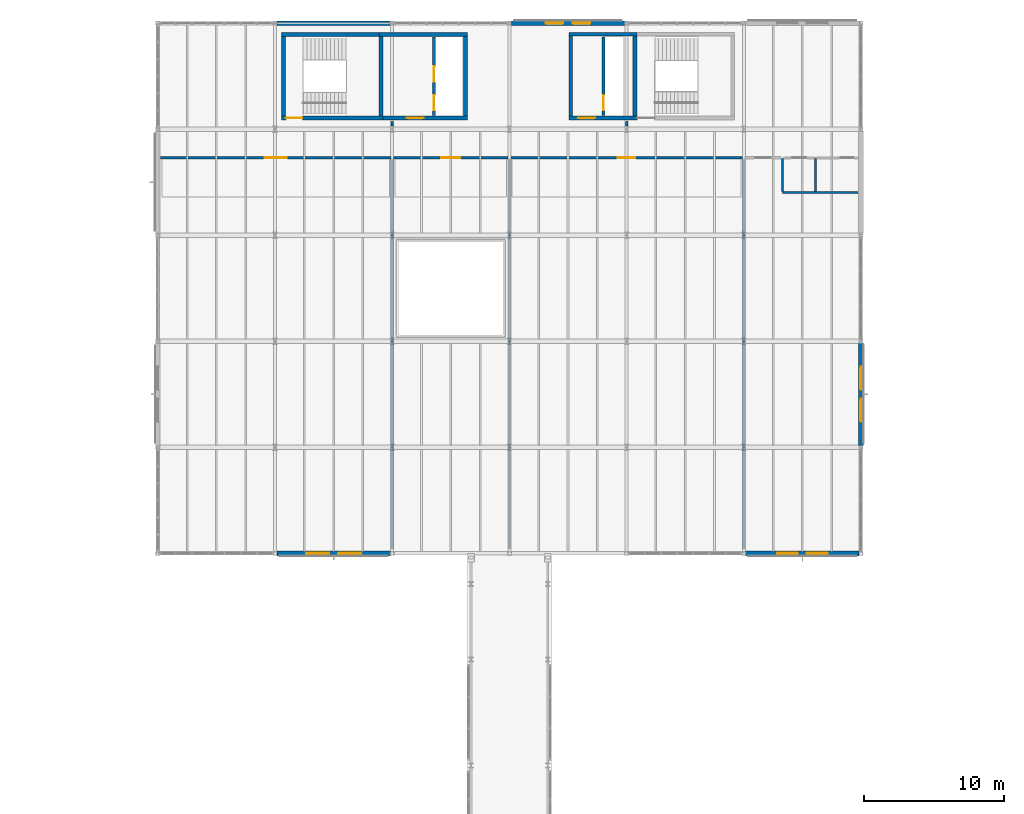
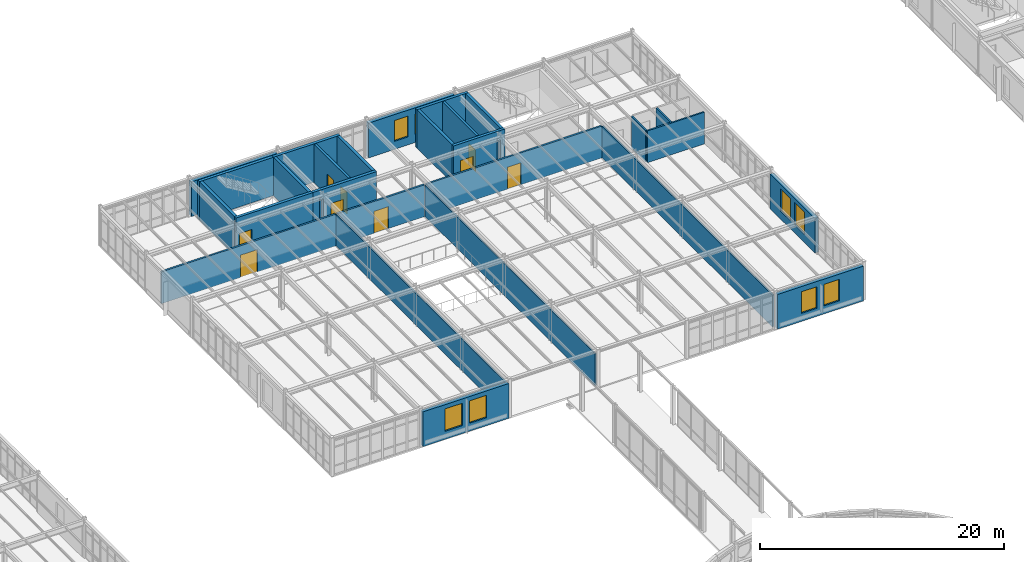
# One storey, part 164 of 189: 29 walls, 9 doors, 8 windows, 17 openings.
"""IFC4 building model written with IfcOpenShell, lengths in metres."""

from ifc_helpers import new_model, si_unit, direction, frame, frame_2d, origin, place, context, subcontext, project, spatial, rectangle, extrude, material, layer, layer_set, type_object, element, fill, save


model = new_model("IFC4")

# Units and contexts
model_context = context("Model", 3, precision=1e-05, world=origin(), true_north=direction((0.0, 1.0)))
body_context = subcontext(model_context, "Body", "Model", "MODEL_VIEW")
ifc_project = project(units=[si_unit("LENGTHUNIT", "METRE"), si_unit("AREAUNIT", "SQUARE_METRE"), si_unit("VOLUMEUNIT", "CUBIC_METRE"), si_unit("PLANEANGLEUNIT", "RADIAN"), si_unit("MASSUNIT", "GRAM", prefix="KILO")], contexts=[model_context])

# Site, building, storey
site_placement = place(None, origin())
site = spatial("IfcSite", under=ifc_project, at=site_placement, CompositionType="ELEMENT")
building_placement = place(site_placement, origin())
building = spatial("IfcBuilding", under=site, at=building_placement, Name="Montecoro Central Library", CompositionType="ELEMENT")
storey_placement = place(building_placement, frame((0.0, 0.0, 9.179931640625)))
storey = spatial("IfcBuildingStorey", under=building, at=storey_placement, Name="L02", CompositionType="ELEMENT", Elevation=9.179931640625)

# Wall, openings, windows
ifc_material_1 = material(Name="Roman travertine stone clad concrete C35/45", Category="masonry")
ifc_layer_1 = layer(ifc_material_1, 0.344970703125)
ifc_layer_set_1 = layer_set([ifc_layer_1], Name="Roman travertine stone clad concrete C35/45")
wall_type_1 = type_object("IfcWallType", Name="EW-TRV-345", PredefinedType="SOLIDWALL", material=ifc_layer_set_1)
wall_1_placement = place(storey_placement, frame((74.93310546875, 81.0, 0.0), z_axis=(0.0, 0.0, 1.0), x_axis=(1.0, 0.0, 0.0)))
wall_1 = element("IfcWall", 1, at=wall_1_placement, inside=storey, type_object=wall_type_1, Name="V2-L02-EW-S1", PredefinedType="SOLIDWALL", context=body_context, shape_type="SweptSolid", body=[
    extrude(rectangle(XDim=8.1337890625, YDim=0.344970703125, at=frame_2d((4.06689453125, 0.0))), origin(), (0.0, 0.0, 1.0), 3.47998046875),
])
opening_1_placement = place(wall_1_placement, frame((2.092041015625, 0.0, 0.800048828125)))
opening_1 = element("IfcOpeningElement", 2, at=opening_1_placement, cuts=wall_1, Name="Opening WN-09", PredefinedType="OPENING", context=body_context, shape_type="SweptSolid", body=[
    extrude(rectangle(XDim=1.64990234375, YDim=2.25, at=frame_2d((0.824951171875, 1.125))), frame((0.0, 0.182373046875, 0.0), z_axis=(0.0, -1.0, 0.0), x_axis=(1.0, 0.0, 0.0)), (0.0, 0.0, 1.0), 0.364990234375),
])
opening_2_placement = place(wall_1_placement, frame((4.39208984375, 0.0, 0.800048828125)))
opening_2 = element("IfcOpeningElement", 3, at=opening_2_placement, cuts=wall_1, Name="Opening WN-09", PredefinedType="OPENING", context=body_context, shape_type="SweptSolid", body=[
    extrude(rectangle(XDim=1.64990234375, YDim=2.25, at=frame_2d((0.824951171875, 1.125))), frame((0.0, 0.182373046875, 0.0), z_axis=(0.0, -1.0, 0.0), x_axis=(1.0, 0.0, 0.0)), (0.0, 0.0, 1.0), 0.364990234375),
])
ifc_material_2 = material(Name="Laminated low-E double glazing", Category="glass")
window_type_1 = type_object("IfcWindowType", Name="WN-RDG-165", PartitioningType="SINGLE_PANEL", PredefinedType="WINDOW", material=ifc_material_2)
window_1_placement = place(opening_1_placement, origin())
window_1 = element("IfcWindow", 4, at=window_1_placement, inside=storey, type_object=window_type_1, Name="V2-L02-WN-S1-1", OverallHeight=2.25, OverallWidth=1.64990234375, PartitioningType="SINGLE_PANEL", PredefinedType="WINDOW", context=body_context, shape_type="SweptSolid", body=[
    extrude(rectangle(XDim=1.64990234375, YDim=2.25, at=frame_2d((0.824951171875, 1.125))), frame((0.0, 0.030029296875, 0.0), z_axis=(0.0, -1.0, 0.0), x_axis=(1.0, 0.0, 0.0)), (0.0, 0.0, 1.0), 0.06005859375),
])
fill(opening_1, window_1)
window_2_placement = place(opening_2_placement, origin())
window_2 = element("IfcWindow", 5, at=window_2_placement, inside=storey, type_object=window_type_1, Name="V2-L02-WN-S1-2", OverallHeight=2.25, OverallWidth=1.64990234375, PartitioningType="SINGLE_PANEL", PredefinedType="WINDOW", context=body_context, shape_type="SweptSolid", body=[
    extrude(rectangle(XDim=1.64990234375, YDim=2.25, at=frame_2d((0.824951171875, 1.125))), frame((0.0, 0.030029296875, 0.0), z_axis=(0.0, -1.0, 0.0), x_axis=(1.0, 0.0, 0.0)), (0.0, 0.0, 1.0), 0.06005859375),
])
fill(opening_2, window_2)

wall_2_placement = place(storey_placement, frame((108.532958984375, 81.0, 0.0), z_axis=(0.0, 0.0, 1.0), x_axis=(1.0, 0.0, 0.0)))
wall_2 = element("IfcWall", 6, at=wall_2_placement, inside=storey, type_object=wall_type_1, Name="V2-L02-EW-S5", PredefinedType="SOLIDWALL", context=body_context, shape_type="SweptSolid", body=[
    extrude(rectangle(XDim=8.134033203125, YDim=0.344970703125, at=frame_2d((4.06689453125, 0.0))), origin(), (0.0, 0.0, 1.0), 3.47998046875),
])
opening_3_placement = place(wall_2_placement, frame((2.261962890625, 0.0, 0.800048828125)))
opening_3 = element("IfcOpeningElement", 7, at=opening_3_placement, cuts=wall_2, Name="Opening WN-25", PredefinedType="OPENING", context=body_context, shape_type="SweptSolid", body=[
    extrude(rectangle(XDim=1.47998046875, YDim=2.159912109375, at=frame_2d((0.739990234375, 1.080078125))), frame((0.0, 0.182373046875, 0.0), z_axis=(0.0, -1.0, 0.0), x_axis=(1.0, 0.0, 0.0)), (0.0, 0.0, 1.0), 0.364990234375),
])
opening_4_placement = place(wall_2_placement, frame((4.39208984375, 0.0, 0.800048828125)))
opening_4 = element("IfcOpeningElement", 8, at=opening_4_placement, cuts=wall_2, Name="Opening WN-25", PredefinedType="OPENING", context=body_context, shape_type="SweptSolid", body=[
    extrude(rectangle(XDim=1.47998046875, YDim=2.159912109375, at=frame_2d((0.739990234375, 1.080078125))), frame((0.0, 0.182373046875, 0.0), z_axis=(0.0, -1.0, 0.0), x_axis=(1.0, 0.0, 0.0)), (0.0, 0.0, 1.0), 0.364990234375),
])
window_type_2 = type_object("IfcWindowType", Name="WN-RDG-148", PartitioningType="SINGLE_PANEL", PredefinedType="WINDOW", material=ifc_material_2)
window_3_placement = place(opening_3_placement, origin())
window_3 = element("IfcWindow", 9, at=window_3_placement, inside=storey, type_object=window_type_2, Name="V2-L02-WN-S5-1", OverallHeight=2.159912109375, OverallWidth=1.47998046875, PartitioningType="SINGLE_PANEL", PredefinedType="WINDOW", context=body_context, shape_type="SweptSolid", body=[
    extrude(rectangle(XDim=1.47998046875, YDim=2.159912109375, at=frame_2d((0.739990234375, 1.080078125))), frame((0.0, 0.030029296875, 0.0), z_axis=(0.0, -1.0, 0.0), x_axis=(1.0, 0.0, 0.0)), (0.0, 0.0, 1.0), 0.06005859375),
])
fill(opening_3, window_3)
window_4_placement = place(opening_4_placement, origin())
window_4 = element("IfcWindow", 10, at=window_4_placement, inside=storey, type_object=window_type_2, Name="V2-L02-WN-S5-2", OverallHeight=2.159912109375, OverallWidth=1.47998046875, PartitioningType="SINGLE_PANEL", PredefinedType="WINDOW", context=body_context, shape_type="SweptSolid", body=[
    extrude(rectangle(XDim=1.47998046875, YDim=2.159912109375, at=frame_2d((0.739990234375, 1.080078125))), frame((0.0, 0.030029296875, 0.0), z_axis=(0.0, -1.0, 0.0), x_axis=(1.0, 0.0, 0.0)), (0.0, 0.0, 1.0), 0.06005859375),
])
fill(opening_4, window_4)

wall_3_placement = place(storey_placement, frame((116.800048828125, 88.73291015625, 0.0), z_axis=(0.0, 0.0, 1.0), x_axis=(0.0, 1.0, 0.0)))
wall_3 = element("IfcWall", 11, at=wall_3_placement, inside=storey, type_object=wall_type_1, Name="V2-L02-EW-E1", PredefinedType="SOLIDWALL", context=body_context, shape_type="SweptSolid", body=[
    extrude(rectangle(XDim=7.333984375, YDim=0.344970703125, at=frame_2d((3.6669921875, 0.0))), origin(), (0.0, 0.0, 1.0), 3.47998046875),
])
opening_5_placement = place(wall_3_placement, frame((1.69189453125, 0.0, 0.800048828125)))
opening_5 = element("IfcOpeningElement", 12, at=opening_5_placement, cuts=wall_3, Name="Opening WN-09", PredefinedType="OPENING", context=body_context, shape_type="SweptSolid", body=[
    extrude(rectangle(XDim=1.64990234375, YDim=2.25, at=frame_2d((0.824951171875, 1.125))), frame((0.0, 0.182373046875, 0.0), z_axis=(0.0, -1.0, 0.0), x_axis=(1.0, 0.0, 0.0)), (0.0, 0.0, 1.0), 0.364990234375),
])
opening_6_placement = place(wall_3_placement, frame((3.991943359375, 0.0, 0.800048828125)))
opening_6 = element("IfcOpeningElement", 13, at=opening_6_placement, cuts=wall_3, Name="Opening WN-09", PredefinedType="OPENING", context=body_context, shape_type="SweptSolid", body=[
    extrude(rectangle(XDim=1.64990234375, YDim=2.25, at=frame_2d((0.824951171875, 1.125))), frame((0.0, 0.182373046875, 0.0), z_axis=(0.0, -1.0, 0.0), x_axis=(1.0, 0.0, 0.0)), (0.0, 0.0, 1.0), 0.364990234375),
])
window_5_placement = place(opening_5_placement, origin())
window_5 = element("IfcWindow", 14, at=window_5_placement, inside=storey, type_object=window_type_1, Name="V2-L02-WN-E1-1", OverallHeight=2.25, OverallWidth=1.64990234375, PartitioningType="SINGLE_PANEL", PredefinedType="WINDOW", context=body_context, shape_type="SweptSolid", body=[
    extrude(rectangle(XDim=1.64990234375, YDim=2.25, at=frame_2d((0.824951171875, 1.125))), frame((0.0, 0.030029296875, 0.0), z_axis=(0.0, -1.0, 0.0), x_axis=(1.0, 0.0, 0.0)), (0.0, 0.0, 1.0), 0.06005859375),
])
fill(opening_5, window_5)
window_6_placement = place(opening_6_placement, origin())
window_6 = element("IfcWindow", 15, at=window_6_placement, inside=storey, type_object=window_type_1, Name="V2-L02-WN-E1-2", OverallHeight=2.25, OverallWidth=1.64990234375, PartitioningType="SINGLE_PANEL", PredefinedType="WINDOW", context=body_context, shape_type="SweptSolid", body=[
    extrude(rectangle(XDim=1.64990234375, YDim=2.25, at=frame_2d((0.824951171875, 1.125))), frame((0.0, 0.030029296875, 0.0), z_axis=(0.0, -1.0, 0.0), x_axis=(1.0, 0.0, 0.0)), (0.0, 0.0, 1.0), 0.06005859375),
])
fill(opening_6, window_6)

wall_4_placement = place(storey_placement, frame((99.866943359375, 119.0, 0.0), z_axis=(0.0, 0.0, 1.0), x_axis=(-1.0, 0.0, 0.0)))
wall_4 = element("IfcWall", 16, at=wall_4_placement, inside=storey, type_object=wall_type_1, Name="V2-L02-EW-N3", PredefinedType="SOLIDWALL", context=body_context, shape_type="SweptSolid", body=[
    extrude(rectangle(XDim=8.134033203125, YDim=0.344970703125, at=frame_2d((4.06689453125, 0.0))), origin(), (0.0, 0.0, 1.0), 3.47998046875),
])
opening_7_placement = place(wall_4_placement, frame((2.4619140625, 0.0, 0.800048828125)))
opening_7 = element("IfcOpeningElement", 17, at=opening_7_placement, cuts=wall_4, Name="Opening WN-23", PredefinedType="OPENING", context=body_context, shape_type="SweptSolid", body=[
    extrude(rectangle(XDim=1.280029296875, YDim=2.080078125, at=frame_2d((0.64013671875, 1.0400390625))), frame((0.0, 0.182373046875, 0.0), z_axis=(0.0, -1.0, 0.0), x_axis=(1.0, 0.0, 0.0)), (0.0, 0.0, 1.0), 0.364990234375),
])
opening_8_placement = place(wall_4_placement, frame((4.39208984375, 0.0, 0.800048828125)))
opening_8 = element("IfcOpeningElement", 18, at=opening_8_placement, cuts=wall_4, Name="Opening WN-23", PredefinedType="OPENING", context=body_context, shape_type="SweptSolid", body=[
    extrude(rectangle(XDim=1.280029296875, YDim=2.080078125, at=frame_2d((0.64013671875, 1.0400390625))), frame((0.0, 0.182373046875, 0.0), z_axis=(0.0, -1.0, 0.0), x_axis=(1.0, 0.0, 0.0)), (0.0, 0.0, 1.0), 0.364990234375),
])
window_type_3 = type_object("IfcWindowType", Name="WN-RDG-128", PartitioningType="SINGLE_PANEL", PredefinedType="WINDOW", material=ifc_material_2)
window_7_placement = place(opening_7_placement, origin())
window_7 = element("IfcWindow", 19, at=window_7_placement, inside=storey, type_object=window_type_3, Name="V2-L02-WN-N3-1", OverallHeight=2.080078125, OverallWidth=1.280029296875, PartitioningType="SINGLE_PANEL", PredefinedType="WINDOW", context=body_context, shape_type="SweptSolid", body=[
    extrude(rectangle(XDim=1.280029296875, YDim=2.080078125, at=frame_2d((0.64013671875, 1.0400390625))), frame((0.0, 0.030029296875, 0.0), z_axis=(0.0, -1.0, 0.0), x_axis=(1.0, 0.0, 0.0)), (0.0, 0.0, 1.0), 0.06005859375),
])
fill(opening_7, window_7)
window_8_placement = place(opening_8_placement, origin())
window_8 = element("IfcWindow", 20, at=window_8_placement, inside=storey, type_object=window_type_3, Name="V2-L02-WN-N3-2", OverallHeight=2.080078125, OverallWidth=1.280029296875, PartitioningType="SINGLE_PANEL", PredefinedType="WINDOW", context=body_context, shape_type="SweptSolid", body=[
    extrude(rectangle(XDim=1.280029296875, YDim=2.080078125, at=frame_2d((0.64013671875, 1.0400390625))), frame((0.0, 0.030029296875, 0.0), z_axis=(0.0, -1.0, 0.0), x_axis=(1.0, 0.0, 0.0)), (0.0, 0.0, 1.0), 0.06005859375),
])
fill(opening_8, window_8)

# Wall
wall_5_placement = place(storey_placement, frame((83.06689453125, 119.0, 0.0), z_axis=(0.0, 0.0, 1.0), x_axis=(-1.0, 0.0, 0.0)))
element("IfcWall", 21, at=wall_5_placement, inside=storey, type_object=wall_type_1, Name="V2-L02-EW-N1", PredefinedType="SOLIDWALL", context=body_context, shape_type="SweptSolid", body=[
    extrude(rectangle(XDim=8.1337890625, YDim=0.344970703125, at=frame_2d((4.06689453125, 0.0))), origin(), (0.0, 0.0, 1.0), 3.47998046875),
])

# Wall, opening, door
ifc_material_3 = material(Name="Gypsum fire-rated partition")
ifc_layer_2 = layer(ifc_material_3, 0.179931640625)
ifc_layer_set_2 = layer_set([ifc_layer_2], Name="Gypsum fire-rated partition")
wall_type_2 = type_object("IfcWallType", Name="IW-COR-180", PredefinedType="PARTITIONING", material=ifc_layer_set_2)
wall_6_placement = place(storey_placement, frame((66.60009765625, 109.35009765625, 0.0), z_axis=(0.0, 0.0, 1.0), x_axis=(1.0, 0.0, 0.0)))
wall_6 = element("IfcWall", 22, at=wall_6_placement, inside=storey, type_object=wall_type_2, Name="CORW-V2-L02-01", PredefinedType="PARTITIONING", context=body_context, shape_type="SweptSolid", body=[
    extrude(rectangle(XDim=16.510009765625, YDim=0.179931640625, at=frame_2d((8.2548828125, 0.0))), origin(), (0.0, 0.0, 1.0), 3.18017578125),
])
opening_9_placement = place(wall_6_placement, frame((7.455078125, 0.0, 0.0)))
opening_9 = element("IfcOpeningElement", 23, at=opening_9_placement, cuts=wall_6, Name="Opening ID-06", PredefinedType="OPENING", context=body_context, shape_type="SweptSolid", body=[
    extrude(rectangle(XDim=1.60009765625, YDim=2.25, at=frame_2d((0.800048828125, 1.125))), frame((0.0, 0.099853515625, 0.0), z_axis=(0.0, -1.0, 0.0), x_axis=(1.0, 0.0, 0.0)), (0.0, 0.0, 1.0), 0.199951171875),
])
ifc_material_4 = material(Name="Solid oak and fire-rated steel door", Category="steel")
door_type_1 = type_object("IfcDoorType", Name="ID-COR-160", OperationType="NOTDEFINED", PredefinedType="DOOR", material=ifc_material_4)
door_1_placement = place(opening_9_placement, origin())
door_1 = element("IfcDoor", 24, at=door_1_placement, inside=storey, type_object=door_type_1, Name="DR-SP-V2-L02-R1P1", OperationType="DOUBLE_DOOR_SINGLE_SWING", OverallHeight=2.25, OverallWidth=1.60009765625, PredefinedType="DOOR", context=body_context, shape_type="SweptSolid", body=[
    extrude(rectangle(XDim=1.60009765625, YDim=2.25, at=frame_2d((0.800048828125, 1.125))), frame((0.0, 0.02490234375, 0.0), z_axis=(0.0, -1.0, 0.0), x_axis=(1.0, 0.0, 0.0)), (0.0, 0.0, 1.0), 0.050048828125),
])
fill(opening_9, door_1)

wall_7_placement = place(storey_placement, frame((83.2900390625, 109.35009765625, 0.0), z_axis=(0.0, 0.0, 1.0), x_axis=(1.0, 0.0, 0.0)))
wall_7 = element("IfcWall", 25, at=wall_7_placement, inside=storey, type_object=wall_type_2, Name="CORW-V2-L02-02", PredefinedType="PARTITIONING", context=body_context, shape_type="SweptSolid", body=[
    extrude(rectangle(XDim=8.219970703125, YDim=0.179931640625, at=frame_2d((4.10986328125, 0.0))), origin(), (0.0, 0.0, 1.0), 3.18017578125),
])
opening_10_placement = place(wall_7_placement, frame((3.429931640625, 0.0, 0.0)))
opening_10 = element("IfcOpeningElement", 26, at=opening_10_placement, cuts=wall_7, Name="Opening ID-05", PredefinedType="OPENING", context=body_context, shape_type="SweptSolid", body=[
    extrude(rectangle(XDim=1.360107421875, YDim=2.199951171875, at=frame_2d((0.68017578125, 1.10009765625))), frame((0.0, 0.099853515625, 0.0), z_axis=(0.0, -1.0, 0.0), x_axis=(1.0, 0.0, 0.0)), (0.0, 0.0, 1.0), 0.199951171875),
])
door_type_2 = type_object("IfcDoorType", Name="ID-VLT-136", OperationType="NOTDEFINED", PredefinedType="DOOR", material=ifc_material_4)
door_2_placement = place(opening_10_placement, origin())
door_2 = element("IfcDoor", 27, at=door_2_placement, inside=storey, type_object=door_type_2, Name="DR-SP-V2-L02-R2P1", OperationType="SINGLE_SWING_LEFT", OverallHeight=2.199951171875, OverallWidth=1.360107421875, PredefinedType="DOOR", context=body_context, shape_type="SweptSolid", body=[
    extrude(rectangle(XDim=1.360107421875, YDim=2.199951171875, at=frame_2d((0.68017578125, 1.10009765625))), frame((0.0, 0.02490234375, 0.0), z_axis=(0.0, -1.0, 0.0), x_axis=(1.0, 0.0, 0.0)), (0.0, 0.0, 1.0), 0.050048828125),
])
fill(opening_10, door_2)

wall_8_placement = place(storey_placement, frame((91.68994140625, 109.35009765625, 0.0), z_axis=(0.0, 0.0, 1.0), x_axis=(1.0, 0.0, 0.0)))
wall_8 = element("IfcWall", 28, at=wall_8_placement, inside=storey, type_object=wall_type_2, Name="CORW-V2-L02-03", PredefinedType="PARTITIONING", context=body_context, shape_type="SweptSolid", body=[
    extrude(rectangle(XDim=16.6201171875, YDim=0.179931640625, at=frame_2d((8.31005859375, 0.0))), origin(), (0.0, 0.0, 1.0), 3.18017578125),
])
opening_11_placement = place(wall_8_placement, frame((7.679931640625, 0.0, 0.0)))
opening_11 = element("IfcOpeningElement", 29, at=opening_11_placement, cuts=wall_8, Name="Opening ID-09", PredefinedType="OPENING", context=body_context, shape_type="SweptSolid", body=[
    extrude(rectangle(XDim=1.260009765625, YDim=2.199951171875, at=frame_2d((0.6298828125, 1.10009765625))), frame((0.0, 0.099853515625, 0.0), z_axis=(0.0, -1.0, 0.0), x_axis=(1.0, 0.0, 0.0)), (0.0, 0.0, 1.0), 0.199951171875),
])
door_type_3 = type_object("IfcDoorType", Name="ID-RDG-126", OperationType="NOTDEFINED", PredefinedType="DOOR", material=ifc_material_4)
door_3_placement = place(opening_11_placement, origin())
door_3 = element("IfcDoor", 30, at=door_3_placement, inside=storey, type_object=door_type_3, Name="DR-SP-V2-L02-R3P1", OperationType="SINGLE_SWING_RIGHT", OverallHeight=2.199951171875, OverallWidth=1.260009765625, PredefinedType="DOOR", context=body_context, shape_type="SweptSolid", body=[
    extrude(rectangle(XDim=1.260009765625, YDim=2.199951171875, at=frame_2d((0.6298828125, 1.10009765625))), frame((0.0, 0.02490234375, 0.0), z_axis=(0.0, -1.0, 0.0), x_axis=(1.0, 0.0, 0.0)), (0.0, 0.0, 1.0), 0.050048828125),
])
fill(opening_11, door_3)

# Walls
for number, where, z_axis, x_axis, name in (
    (31, (83.199951171875, 111.639892578125, 0.0), (0.0, 0.0, 1.0), (0.0, 1.0, 0.0), "PIL-V2-L02-1"),
    (32, (100.0, 111.639892578125, 0.0), (0.0, 0.0, 1.0), (0.0, 1.0, 0.0), "PIL-V2-L02-2"),
):
    element("IfcWall", number, at=place(storey_placement, frame(where, z_axis=z_axis, x_axis=x_axis)), inside=storey, type_object=wall_type_2, Name=name, PredefinedType="PARTITIONING", context=body_context, shape_type="SweptSolid", body=[
        extrude(rectangle(XDim=0.320068359375, YDim=0.179931640625, at=frame_2d((0.16015625, 0.0))), origin(), (0.0, 0.0, 1.0), 3.18017578125),
    ])

# Wall, openings, doors
ifc_material_5 = material(Name="Concrete C32/40", Category="concrete")
ifc_layer_3 = layer(ifc_material_5, 0.219970703125)
ifc_layer_set_3 = layer_set([ifc_layer_3], Name="Concrete C32/40")
wall_type_3 = type_object("IfcWallType", Name="IW-FFL-220", PredefinedType="SOLIDWALL", material=ifc_layer_set_3)
wall_9_placement = place(storey_placement, frame((86.199951171875, 112.39990234375, 0.0), z_axis=(0.0, 0.0, 1.0), x_axis=(0.0, 1.0, 0.0)))
wall_9 = element("IfcWall", 33, at=wall_9_placement, inside=storey, type_object=wall_type_3, Name="C2-L02-WLSH", PredefinedType="SOLIDWALL", context=body_context, shape_type="SweptSolid", body=[
    extrude(rectangle(XDim=5.60009765625, YDim=0.219970703125, at=frame_2d((2.800048828125, 0.0))), origin(), (0.0, 0.0, 1.0), 3.844970703125),
])
opening_12_placement = place(wall_9_placement, frame((0.35009765625, 0.0, 0.0)))
opening_12 = element("IfcOpeningElement", 34, at=opening_12_placement, cuts=wall_9, Name="Opening LD-01", PredefinedType="OPENING", context=body_context, shape_type="SweptSolid", body=[
    extrude(rectangle(XDim=1.10009765625, YDim=2.14990234375, at=frame_2d((0.550048828125, 1.074951171875))), frame((0.0, 0.119873046875, 0.0), z_axis=(0.0, -1.0, 0.0), x_axis=(1.0, 0.0, 0.0)), (0.0, 0.0, 1.0), 0.239990234375),
])
opening_13_placement = place(wall_9_placement, frame((2.39990234375, 0.0, 0.0)))
opening_13 = element("IfcOpeningElement", 35, at=opening_13_placement, cuts=wall_9, Name="Opening LD-01", PredefinedType="OPENING", context=body_context, shape_type="SweptSolid", body=[
    extrude(rectangle(XDim=1.10009765625, YDim=2.14990234375, at=frame_2d((0.550048828125, 1.074951171875))), frame((0.0, 0.119873046875, 0.0), z_axis=(0.0, -1.0, 0.0), x_axis=(1.0, 0.0, 0.0)), (0.0, 0.0, 1.0), 0.239990234375),
])
door_type_4 = type_object("IfcDoorType", Name="LD-LIFT-110", OperationType="NOTDEFINED", PredefinedType="DOOR", material=ifc_material_4)
door_4_placement = place(opening_12_placement, origin())
door_4 = element("IfcDoor", 36, at=door_4_placement, inside=storey, type_object=door_type_4, Name="C2-L02-LD-PL-02", OperationType="SLIDING_TO_LEFT", OverallHeight=2.14990234375, OverallWidth=1.10009765625, PredefinedType="DOOR", context=body_context, shape_type="SweptSolid", body=[
    extrude(rectangle(XDim=1.10009765625, YDim=2.14990234375, at=frame_2d((0.550048828125, 1.074951171875))), frame((0.0, 0.02490234375, 0.0), z_axis=(0.0, -1.0, 0.0), x_axis=(1.0, 0.0, 0.0)), (0.0, 0.0, 1.0), 0.050048828125),
])
fill(opening_12, door_4)
door_5_placement = place(opening_13_placement, origin())
door_5 = element("IfcDoor", 37, at=door_5_placement, inside=storey, type_object=door_type_4, Name="C2-L02-LD-FFL-01", OperationType="SLIDING_TO_LEFT", OverallHeight=2.14990234375, OverallWidth=1.10009765625, PredefinedType="DOOR", context=body_context, shape_type="SweptSolid", body=[
    extrude(rectangle(XDim=1.10009765625, YDim=2.14990234375, at=frame_2d((0.550048828125, 1.074951171875))), frame((0.0, 0.02490234375, 0.0), z_axis=(0.0, -1.0, 0.0), x_axis=(1.0, 0.0, 0.0)), (0.0, 0.0, 1.0), 0.050048828125),
])
fill(opening_13, door_5)

# Wall, opening, door
wall_10_placement = place(storey_placement, frame((98.35009765625, 112.39990234375, 0.0), z_axis=(0.0, 0.0, 1.0), x_axis=(0.0, 1.0, 0.0)))
wall_10 = element("IfcWall", 38, at=wall_10_placement, inside=storey, type_object=wall_type_3, Name="C3-L02-WLSH", PredefinedType="SOLIDWALL", context=body_context, shape_type="SweptSolid", body=[
    extrude(rectangle(XDim=5.60009765625, YDim=0.219970703125, at=frame_2d((2.800048828125, 0.0))), origin(), (0.0, 0.0, 1.0), 3.844970703125),
])
opening_14_placement = place(wall_10_placement, frame((0.35009765625, 0.0, 0.0)))
opening_14 = element("IfcOpeningElement", 39, at=opening_14_placement, cuts=wall_10, Name="Opening LD-01", PredefinedType="OPENING", context=body_context, shape_type="SweptSolid", body=[
    extrude(rectangle(XDim=1.10009765625, YDim=2.14990234375, at=frame_2d((0.550048828125, 1.074951171875))), frame((0.0, 0.119873046875, 0.0), z_axis=(0.0, -1.0, 0.0), x_axis=(1.0, 0.0, 0.0)), (0.0, 0.0, 1.0), 0.239990234375),
])
door_6_placement = place(opening_14_placement, origin())
door_6 = element("IfcDoor", 40, at=door_6_placement, inside=storey, type_object=door_type_4, Name="C3-L02-LD-PL-03", OperationType="SLIDING_TO_LEFT", OverallHeight=2.14990234375, OverallWidth=1.10009765625, PredefinedType="DOOR", context=body_context, shape_type="SweptSolid", body=[
    extrude(rectangle(XDim=1.10009765625, YDim=2.14990234375, at=frame_2d((0.550048828125, 1.074951171875))), frame((0.0, 0.02490234375, 0.0), z_axis=(0.0, -1.0, 0.0), x_axis=(1.0, 0.0, 0.0)), (0.0, 0.0, 1.0), 0.050048828125),
])
fill(opening_14, door_6)

# Walls
ifc_material_6 = material(Name="Gypsum metal-stud partition")
ifc_layer_4 = layer(ifc_material_6, 0.1201171875)
ifc_layer_set_4 = layer_set([ifc_layer_4], Name="Gypsum metal-stud partition")
wall_type_4 = type_object("IfcWallType", Name="IW-PRT-120", PredefinedType="PARTITIONING", material=ifc_layer_set_4)
wall_11_placement = place(storey_placement, frame((91.60009765625, 81.320068359375, 0.0), z_axis=(0.0, 0.0, 1.0), x_axis=(0.0, 1.0, 0.0)))
element("IfcWall", 41, at=wall_11_placement, inside=storey, type_object=wall_type_4, Name="DIVW-V2-L02-02-1", PredefinedType="PARTITIONING", context=body_context, shape_type="SweptSolid", body=[
    extrude(rectangle(XDim=27.93994140625, YDim=0.1201171875, at=frame_2d((13.969970703125, 0.0))), origin(), (0.0, 0.0, 1.0), 3.18017578125),
])
ifc_layer_5 = layer(ifc_material_6, 0.139892578125)
ifc_layer_set_5 = layer_set([ifc_layer_5], Name="Gypsum metal-stud partition")
wall_type_5 = type_object("IfcWallType", Name="IW-PRT-140", PredefinedType="PARTITIONING", material=ifc_layer_set_5)
for number, where, z_axis, x_axis, name in (
    (42, (83.199951171875, 81.320068359375, 0.0), (0.0, 0.0, 1.0), (0.0, 1.0, 0.0), "DIVW-V2-L02-01-1"),
    (43, (108.39990234375, 81.320068359375, 0.0), (0.0, 0.0, 1.0), (0.0, 1.0, 0.0), "DIVW-V2-L02-03-1"),
):
    element("IfcWall", number, at=place(storey_placement, frame(where, z_axis=z_axis, x_axis=x_axis)), inside=storey, type_object=wall_type_5, Name=name, PredefinedType="PARTITIONING", context=body_context, shape_type="SweptSolid", body=[
        extrude(rectangle(XDim=27.93994140625, YDim=0.139892578125, at=frame_2d((13.969970703125, 0.0))), origin(), (0.0, 0.0, 1.0), 3.18017578125),
    ])

# Wall, opening, door
ifc_material_7 = material(Name="Concrete C35/45", Category="concrete")
ifc_layer_6 = layer(ifc_material_7, 0.260009765625)
ifc_layer_set_6 = layer_set([ifc_layer_6], Name="Concrete C35/45")
wall_type_6 = type_object("IfcWallType", Name="IW-SHR-260", PredefinedType="SHEAR", material=ifc_layer_set_6)
wall_12_placement = place(storey_placement, frame((95.8701171875, 112.199951171875, 0.0), z_axis=(0.0, 0.0, 1.0), x_axis=(1.0, 0.0, 0.0)))
wall_12 = element("IfcWall", 44, at=wall_12_placement, inside=storey, type_object=wall_type_6, Name="C3-L02-LWS", PredefinedType="SHEAR", context=body_context, shape_type="SweptSolid", body=[
    extrude(rectangle(XDim=4.85986328125, YDim=0.260009765625, at=frame_2d((2.429931640625, 0.0))), origin(), (0.0, 0.0, 1.0), 3.844970703125),
])
opening_15_placement = place(wall_12_placement, frame((0.679931640625, 0.0, 0.0)))
opening_15 = element("IfcOpeningElement", 45, at=opening_15_placement, cuts=wall_12, Name="Opening ID-03", PredefinedType="OPENING", context=body_context, shape_type="SweptSolid", body=[
    extrude(rectangle(XDim=1.199951171875, YDim=2.159912109375, at=frame_2d((0.60009765625, 1.080078125))), frame((0.0, 0.139892578125, 0.0), z_axis=(0.0, -1.0, 0.0), x_axis=(1.0, 0.0, 0.0)), (0.0, 0.0, 1.0), 0.280029296875),
])
door_type_5 = type_object("IfcDoorType", Name="ID-FFL-120", OperationType="NOTDEFINED", PredefinedType="DOOR", material=ifc_material_4)
door_7_placement = place(opening_15_placement, origin())
door_7 = element("IfcDoor", 46, at=door_7_placement, inside=storey, type_object=door_type_5, Name="C3-L02-DLOB", OperationType="SINGLE_SWING_LEFT", OverallHeight=2.159912109375, OverallWidth=1.199951171875, PredefinedType="DOOR", context=body_context, shape_type="SweptSolid", body=[
    extrude(rectangle(XDim=1.199951171875, YDim=2.159912109375, at=frame_2d((0.60009765625, 1.080078125))), frame((0.0, 0.02490234375, 0.0), z_axis=(0.0, -1.0, 0.0), x_axis=(1.0, 0.0, 0.0)), (0.0, 0.0, 1.0), 0.050048828125),
])
fill(opening_15, door_7)

# Walls
wall_13_placement = place(storey_placement, frame((100.72998046875, 118.199951171875, 0.0), z_axis=(0.0, 0.0, 1.0), x_axis=(-1.0, 0.0, 0.0)))
element("IfcWall", 47, at=wall_13_placement, inside=storey, type_object=wall_type_6, Name="C3-L02-LWN", PredefinedType="SHEAR", context=body_context, shape_type="SweptSolid", body=[
    extrude(rectangle(XDim=4.85986328125, YDim=0.260009765625, at=frame_2d((2.429931640625, 0.0))), origin(), (0.0, 0.0, 1.0), 3.844970703125),
])
for number, where, z_axis, x_axis, name in (
    (48, (96.0, 118.070068359375, 0.0), (0.0, 0.0, 1.0), (0.0, -1.0, 0.0), "C3-L02-LWW"),
    (49, (100.60009765625, 112.330078125, 0.0), (0.0, 0.0, 1.0), (0.0, 1.0, 0.0), "C3-L02-WW"),
):
    element("IfcWall", number, at=place(storey_placement, frame(where, z_axis=z_axis, x_axis=x_axis)), inside=storey, type_object=wall_type_6, Name=name, PredefinedType="SHEAR", context=body_context, shape_type="SweptSolid", body=[
        extrude(rectangle(XDim=5.739990234375, YDim=0.260009765625, at=frame_2d((2.8701171875, 0.0))), origin(), (0.0, 0.0, 1.0), 3.844970703125),
    ])

# Wall, opening, door
ifc_layer_7 = layer(ifc_material_7, 0.280029296875)
ifc_layer_set_7 = layer_set([ifc_layer_7], Name="Concrete C35/45")
wall_type_7 = type_object("IfcWallType", Name="IW-SHR-280", PredefinedType="SHEAR", material=ifc_layer_set_7)
wall_14_placement = place(storey_placement, frame((82.260009765625, 112.199951171875, 0.0), z_axis=(0.0, 0.0, 1.0), x_axis=(1.0, 0.0, 0.0)))
wall_14 = element("IfcWall", 50, at=wall_14_placement, inside=storey, type_object=wall_type_7, Name="C2-L02-LWS", PredefinedType="SHEAR", context=body_context, shape_type="SweptSolid", body=[
    extrude(rectangle(XDim=6.330078125, YDim=0.280029296875, at=frame_2d((3.1650390625, 0.0))), origin(), (0.0, 0.0, 1.0), 3.844970703125),
])
opening_16_placement = place(wall_14_placement, frame((1.989990234375, 0.0, 0.0)))
opening_16 = element("IfcOpeningElement", 51, at=opening_16_placement, cuts=wall_14, Name="Opening ID-03", PredefinedType="OPENING", context=body_context, shape_type="SweptSolid", body=[
    extrude(rectangle(XDim=1.199951171875, YDim=2.159912109375, at=frame_2d((0.60009765625, 1.080078125))), frame((0.0, 0.14990234375, 0.0), z_axis=(0.0, -1.0, 0.0), x_axis=(1.0, 0.0, 0.0)), (0.0, 0.0, 1.0), 0.300048828125),
])
door_8_placement = place(opening_16_placement, origin())
door_8 = element("IfcDoor", 52, at=door_8_placement, inside=storey, type_object=door_type_5, Name="C2-L02-DLOB", OperationType="SINGLE_SWING_LEFT", OverallHeight=2.159912109375, OverallWidth=1.199951171875, PredefinedType="DOOR", context=body_context, shape_type="SweptSolid", body=[
    extrude(rectangle(XDim=1.199951171875, YDim=2.159912109375, at=frame_2d((0.60009765625, 1.080078125))), frame((0.0, 0.02490234375, 0.0), z_axis=(0.0, -1.0, 0.0), x_axis=(1.0, 0.0, 0.0)), (0.0, 0.0, 1.0), 0.050048828125),
])
fill(opening_16, door_8)

# Walls
wall_15_placement = place(storey_placement, frame((88.590087890625, 118.199951171875, 0.0), z_axis=(0.0, 0.0, 1.0), x_axis=(-1.0, 0.0, 0.0)))
element("IfcWall", 53, at=wall_15_placement, inside=storey, type_object=wall_type_7, Name="C2-L02-LWN", PredefinedType="SHEAR", context=body_context, shape_type="SweptSolid", body=[
    extrude(rectangle(XDim=6.330078125, YDim=0.280029296875, at=frame_2d((3.1650390625, 0.0))), origin(), (0.0, 0.0, 1.0), 3.844970703125),
])
wall_16_placement = place(storey_placement, frame((88.449951171875, 112.340087890625, 0.0), z_axis=(0.0, 0.0, 1.0), x_axis=(0.0, 1.0, 0.0)))
element("IfcWall", 54, at=wall_16_placement, inside=storey, type_object=wall_type_7, Name="C2-L02-LWE", PredefinedType="SHEAR", context=body_context, shape_type="SweptSolid", body=[
    extrude(rectangle(XDim=5.719970703125, YDim=0.280029296875, at=frame_2d((2.85986328125, 0.0))), origin(), (0.0, 0.0, 1.0), 3.844970703125),
])

# Wall, opening, door
wall_17_placement = place(storey_placement, frame((75.260009765625, 112.199951171875, 0.0), z_axis=(0.0, 0.0, 1.0), x_axis=(1.0, 0.0, 0.0)))
wall_17 = element("IfcWall", 55, at=wall_17_placement, inside=storey, type_object=wall_type_7, Name="C2-L02-WS", PredefinedType="SHEAR", context=body_context, shape_type="SweptSolid", body=[
    extrude(rectangle(XDim=7.280029296875, YDim=0.280029296875, at=frame_2d((3.64013671875, 0.0))), origin(), (0.0, 0.0, 1.0), 3.844970703125),
])
opening_17_placement = place(wall_17_placement, frame((0.320068359375, 0.0, 0.0)))
opening_17 = element("IfcOpeningElement", 56, at=opening_17_placement, cuts=wall_17, Name="Opening ID-02", PredefinedType="OPENING", context=body_context, shape_type="SweptSolid", body=[
    extrude(rectangle(XDim=1.179931640625, YDim=2.179931640625, at=frame_2d((0.58984375, 1.08984375))), frame((0.0, 0.14990234375, 0.0), z_axis=(0.0, -1.0, 0.0), x_axis=(1.0, 0.0, 0.0)), (0.0, 0.0, 1.0), 0.300048828125),
])
door_type_6 = type_object("IfcDoorType", Name="ID-STR-135", OperationType="NOTDEFINED", PredefinedType="DOOR", material=ifc_material_4)
door_9_placement = place(opening_17_placement, origin())
door_9 = element("IfcDoor", 57, at=door_9_placement, inside=storey, type_object=door_type_6, Name="C2-L02-DSTR", OperationType="SINGLE_SWING_RIGHT", OverallHeight=2.179931640625, OverallWidth=1.179931640625, PredefinedType="DOOR", context=body_context, shape_type="SweptSolid", body=[
    extrude(rectangle(XDim=1.179931640625, YDim=2.179931640625, at=frame_2d((0.58984375, 1.08984375))), frame((0.0, 0.02490234375, 0.0), z_axis=(0.0, -1.0, 0.0), x_axis=(1.0, 0.0, 0.0)), (0.0, 0.0, 1.0), 0.050048828125),
])
fill(opening_17, door_9)

# Walls
wall_18_placement = place(storey_placement, frame((75.260009765625, 118.199951171875, 0.0), z_axis=(0.0, 0.0, 1.0), x_axis=(1.0, 0.0, 0.0)))
element("IfcWall", 58, at=wall_18_placement, inside=storey, type_object=wall_type_7, Name="C2-L02-WN", PredefinedType="SHEAR", context=body_context, shape_type="SweptSolid", body=[
    extrude(rectangle(XDim=7.280029296875, YDim=0.280029296875, at=frame_2d((3.64013671875, 0.0))), origin(), (0.0, 0.0, 1.0), 3.844970703125),
])
for number, where, z_axis, x_axis, name in (
    (59, (75.39990234375, 112.340087890625, 0.0), (0.0, 0.0, 1.0), (0.0, 1.0, 0.0), "C2-L02-WW"),
    (60, (82.39990234375, 112.340087890625, 0.0), (0.0, 0.0, 1.0), (0.0, 1.0, 0.0), "C2-L02-WE"),
):
    element("IfcWall", number, at=place(storey_placement, frame(where, z_axis=z_axis, x_axis=x_axis)), inside=storey, type_object=wall_type_7, Name=name, PredefinedType="SHEAR", context=body_context, shape_type="SweptSolid", body=[
        extrude(rectangle(XDim=5.719970703125, YDim=0.280029296875, at=frame_2d((2.85986328125, 0.0))), origin(), (0.0, 0.0, 1.0), 3.844970703125),
    ])
ifc_material_8 = material(Name="Moisture-resistant ceramic-tiled partition")
ifc_layer_8 = layer(ifc_material_8, 0.14990234375)
ifc_layer_set_8 = layer_set([ifc_layer_8], Name="Moisture-resistant ceramic-tiled partition")
wall_type_8 = type_object("IfcWallType", Name="IW-WET-150", PredefinedType="PARTITIONING", material=ifc_layer_set_8)
wall_19_placement = place(storey_placement, frame((111.179931640625, 106.8701171875, 0.0), z_axis=(0.0, 0.0, 1.0), x_axis=(1.0, 0.0, 0.0)))
element("IfcWall", 61, at=wall_19_placement, inside=storey, type_object=wall_type_8, Name="WC-V2-L02-WBK", PredefinedType="PARTITIONING", context=body_context, shape_type="SweptSolid", body=[
    extrude(rectangle(XDim=5.420166015625, YDim=0.14990234375, at=frame_2d((2.7099609375, 0.0))), origin(), (0.0, 0.0, 1.0), 3.18017578125),
])
for number, where, z_axis, x_axis, name in (
    (62, (111.179931640625, 106.929931640625, 0.0), (0.0, 0.0, 1.0), (0.0, 1.0, 0.0), "WC-V2-L02-WW"),
    (63, (113.530029296875, 106.929931640625, 0.0), (0.0, 0.0, 1.0), (0.0, 1.0, 0.0), "WC-V2-L02-WM"),
):
    element("IfcWall", number, at=place(storey_placement, frame(where, z_axis=z_axis, x_axis=x_axis)), inside=storey, type_object=wall_type_8, Name=name, PredefinedType="PARTITIONING", context=body_context, shape_type="SweptSolid", body=[
        extrude(rectangle(XDim=2.360107421875, YDim=0.14990234375, at=frame_2d((1.18017578125, 0.0))), origin(), (0.0, 0.0, 1.0), 3.18017578125),
    ])

save(model, "model.ifc")
